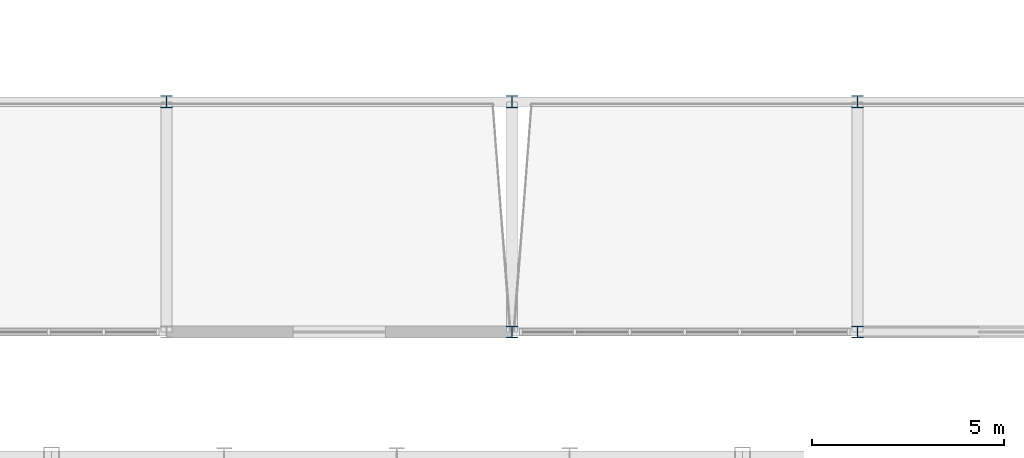
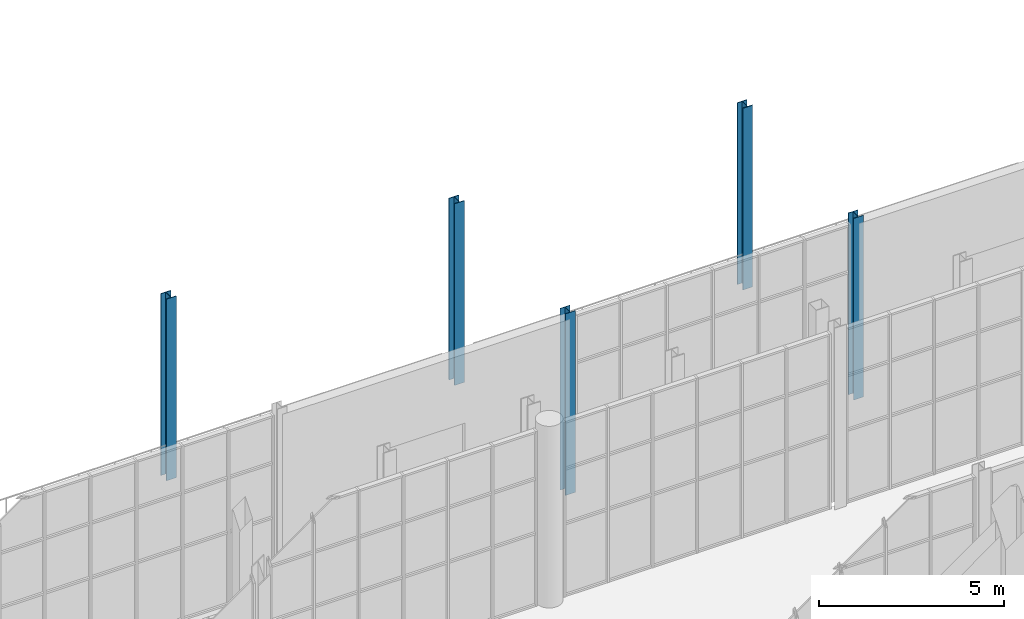
# One storey, part 13 of 159: 5 columns.
"""IFC4 building model written with IfcOpenShell, lengths in metres."""

from ifc_helpers import new_model, si_unit, direction, frame, origin, origin_2d, place, context, subcontext, project, spatial, i_section, extrude, material, material_profile, profile_set, type_object, element, save


model = new_model("IFC4")

# Units and contexts
model_context = context("Model", 3, precision=1e-05, world=origin(), true_north=direction((0.0, 1.0)))
body_context = subcontext(model_context, "Body", "Model", "MODEL_VIEW")
ifc_project = project(units=[si_unit("LENGTHUNIT", "METRE"), si_unit("AREAUNIT", "SQUARE_METRE"), si_unit("VOLUMEUNIT", "CUBIC_METRE"), si_unit("PLANEANGLEUNIT", "RADIAN"), si_unit("MASSUNIT", "GRAM", prefix="KILO")], contexts=[model_context])

# Site, building, storey
site_placement = place(None, origin())
site = spatial("IfcSite", under=ifc_project, at=site_placement, CompositionType="ELEMENT")
building_placement = place(site_placement, origin())
building = spatial("IfcBuilding", under=site, at=building_placement, Name="Cazmaro Siding Exhibition Halls", CompositionType="ELEMENT")
storey_placement = place(building_placement, frame((0.0, 0.0, 6.0)))
storey = spatial("IfcBuildingStorey", under=building, at=storey_placement, Name="L01", CompositionType="ELEMENT", Elevation=6.0)

# Columns
ifc_material_1 = material(Name="Steel ASTM A992 Grade 50", Category="steel")
ifc_material_profile_1 = material_profile(ifc_material_1, i_section(OverallWidth=0.304931640625, OverallDepth=0.306884765625, WebThickness=0.010009765625, FlangeThickness=0.014892578125, at=origin_2d()), Name="W12X65")
ifc_profile_set_1 = profile_set([ifc_material_profile_1], Name="Steel ASTM A992 Grade 50")
column_type_1 = type_object("IfcColumnType", Name="C-06", PredefinedType="COLUMN", material=ifc_profile_set_1)
for number, where, z_axis, x_axis, name in (
    (1, (111.0, 67.199951171875, 0.0), (0.0, 0.0, 1.0), (1.0, 0.0, 0.0), "Column C-06 COL-0326"),
    (2, (120.0, 67.199951171875, 0.0), (0.0, 0.0, 1.0), (1.0, 0.0, 0.0), "Column C-06 COL-0336"),
):
    element("IfcColumn", number, at=place(storey_placement, frame(where, z_axis=z_axis, x_axis=x_axis)), inside=storey, type_object=column_type_1, Name=name, PredefinedType="COLUMN", context=body_context, shape_type="SweptSolid", body=[
        extrude(i_section(OverallWidth=0.304931640625, OverallDepth=0.306884765625, WebThickness=0.010009765625, FlangeThickness=0.014892578125, at=origin_2d()), origin(), (0.0, 0.0, 1.0), 6.0),
    ])
ifc_material_2 = material(Name="Steel ASTM A992 Grade 50", Category="steel")
ifc_material_profile_2 = material_profile(ifc_material_2, i_section(OverallWidth=0.30908203125, OverallDepth=0.320068359375, WebThickness=0.013916015625, FlangeThickness=0.02294921875, at=origin_2d()), Name="W12X96")
ifc_profile_set_2 = profile_set([ifc_material_profile_2], Name="Steel ASTM A992 Grade 50")
column_type_2 = type_object("IfcColumnType", Name="C-13", PredefinedType="COLUMN", material=ifc_profile_set_2)
for number, where, z_axis, x_axis, name in (
    (3, (102.0, 73.199951171875, 0.0), (0.0, 0.0, 1.0), (1.0, 0.0, 0.0), "Column C-13 COL-0319"),
    (4, (111.0, 73.199951171875, 0.0), (0.0, 0.0, 1.0), (1.0, 0.0, 0.0), "Column C-13 COL-0329"),
    (5, (120.0, 73.199951171875, 0.0), (0.0, 0.0, 1.0), (1.0, 0.0, 0.0), "Column C-13 COL-0339"),
):
    element("IfcColumn", number, at=place(storey_placement, frame(where, z_axis=z_axis, x_axis=x_axis)), inside=storey, type_object=column_type_2, Name=name, PredefinedType="COLUMN", context=body_context, shape_type="SweptSolid", body=[
        extrude(i_section(OverallWidth=0.30908203125, OverallDepth=0.320068359375, WebThickness=0.013916015625, FlangeThickness=0.02294921875, at=origin_2d()), origin(), (0.0, 0.0, 1.0), 6.0),
    ])

save(model, "model.ifc")
